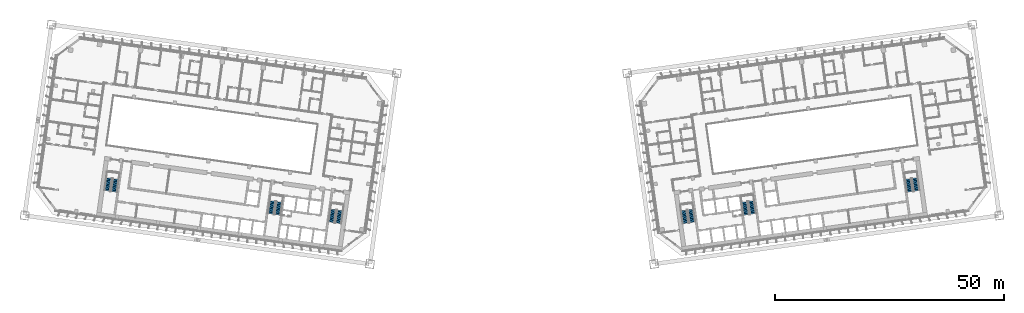
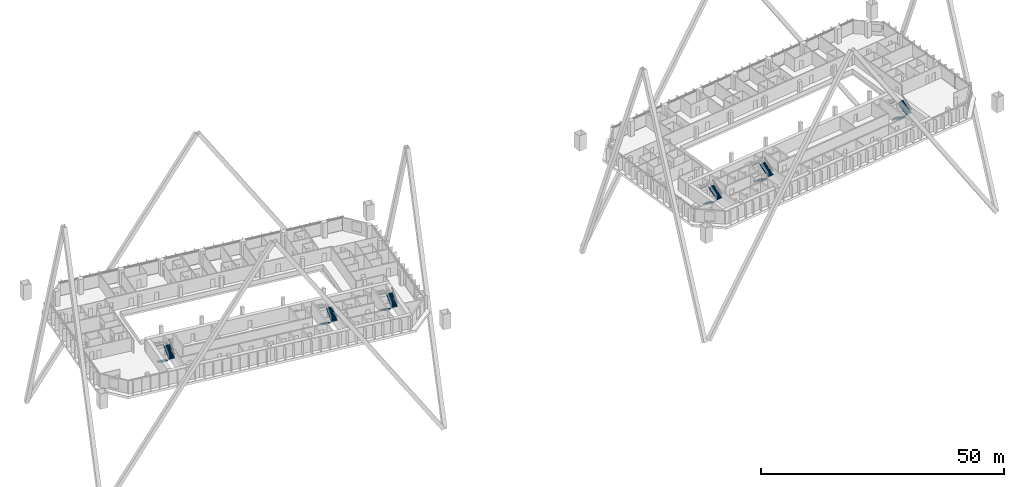
# One storey, part 47 of 49: 12 stair flights, 6 elements without a shape of their own.
"""IFC4 building model written with IfcOpenShell, lengths in metres."""

from ifc_helpers import new_model, si_unit, direction, frame, origin, place, context, subcontext, project, spatial, polyline, outline, extrude, material, type_object, element, aggregate, save


model = new_model("IFC4")

# Units and contexts
model_context = context("Model", 3, precision=1e-05, world=origin(), true_north=direction((0.0, 1.0)))
body_context = subcontext(model_context, "Body", "Model", "MODEL_VIEW")
ifc_project = project(units=[si_unit("LENGTHUNIT", "METRE"), si_unit("AREAUNIT", "SQUARE_METRE"), si_unit("VOLUMEUNIT", "CUBIC_METRE"), si_unit("PLANEANGLEUNIT", "RADIAN"), si_unit("MASSUNIT", "GRAM", prefix="KILO")], contexts=[model_context])

# Site, building, storey
site_placement = place(None, origin())
site = spatial("IfcSite", under=ifc_project, at=site_placement, CompositionType="ELEMENT")
building_placement = place(site_placement, origin())
building = spatial("IfcBuilding", under=site, at=building_placement, Name="Mirante Cascada Hotel Towers", CompositionType="ELEMENT")
storey_placement = place(building_placement, frame((0.0, 0.0, 66.1)))
storey = spatial("IfcBuildingStorey", under=building, at=storey_placement, Name="L13", CompositionType="ELEMENT", Elevation=66.1)

# Stair, stair flights
ifc_material_1 = material(Name="Concrete C35/45", Category="concrete")
stair_type = type_object("IfcStairType", Name="Exit stair half-turn 1350 concrete C35/45", PredefinedType="HALF_TURN_STAIR", material=ifc_material_1)
stair_1_placement = place(storey_placement, origin())
stair_1 = element("IfcStair", 1, at=stair_1_placement, inside=storey, type_object=stair_type, Name="L13 Exit stair A", PredefinedType="HALF_TURN_STAIR")
ifc_material_2 = material(Name="Concrete C35/45", Category="concrete")
stair_flight_type = type_object("IfcStairFlightType", Name="Exit stair flight 1350 concrete C35/45", PredefinedType="STRAIGHT", material=ifc_material_2)
stair_flight_1_placement = place(storey_placement, frame((-38.9417, -11.195, 0.0), z_axis=(0.0, 0.0, 1.0), x_axis=(-0.1391731, -0.9902681, 0.0)))
stair_flight_1 = element("IfcStairFlight", 2, at=stair_flight_1_placement, type_object=stair_flight_type, Name="ST1-A flight 1", NumberOfRisers=11, NumberOfTreads=10, PredefinedType="STRAIGHT", RiserHeight=0.172727273, TreadLength=0.28, context=body_context, shape_type="SweptSolid", body=[
    extrude(outline(polyline([(0.0, 0.0), (0.0, 0.1727), (0.28, 0.1727), (0.28, 0.3455), (0.56, 0.3455), (0.56, 0.5182), (0.84, 0.5182), (0.84, 0.6909), (1.12, 0.6909), (1.12, 0.8636), (1.4, 0.8636), (1.4, 1.0364), (1.68, 1.0364), (1.68, 1.2091), (1.96, 1.2091), (1.96, 1.3818), (2.24, 1.3818), (2.24, 1.5545), (2.52, 1.5545), (2.52, 1.7273), (2.8, 1.7273), (2.8, 1.9), (2.8, 1.551), (0.2857, 0.0), (0.0, 0.0)])), frame((0.0, 0.675, 0.0), z_axis=(0.0, -1.0, 0.0), x_axis=(1.0, 0.0, 0.0)), (0.0, 0.0, 1.0), 1.35),
])
stair_flight_2_placement = place(storey_placement, frame((-37.846, -14.1765, 1.9), z_axis=(0.0, 0.0, 1.0), x_axis=(0.1391731, 0.9902681, 0.0)))
stair_flight_2 = element("IfcStairFlight", 3, at=stair_flight_2_placement, type_object=stair_flight_type, Name="ST1-A flight 2", NumberOfRisers=11, NumberOfTreads=10, PredefinedType="STRAIGHT", RiserHeight=0.172727273, TreadLength=0.28, context=body_context, shape_type="SweptSolid", body=[
    extrude(outline(polyline([(0.0, 0.0), (0.0, 0.1727), (0.28, 0.1727), (0.28, 0.3455), (0.56, 0.3455), (0.56, 0.5182), (0.84, 0.5182), (0.84, 0.6909), (1.12, 0.6909), (1.12, 0.8636), (1.4, 0.8636), (1.4, 1.0364), (1.68, 1.0364), (1.68, 1.2091), (1.96, 1.2091), (1.96, 1.3818), (2.24, 1.3818), (2.24, 1.5545), (2.52, 1.5545), (2.52, 1.7273), (2.8, 1.7273), (2.8, 1.9), (2.8, 1.551), (0.2857, 0.0), (0.0, 0.0)])), frame((0.0, 0.675, 0.0), z_axis=(0.0, -1.0, 0.0), x_axis=(1.0, 0.0, 0.0)), (0.0, 0.0, 1.0), 1.35),
])
aggregate(stair_1, [stair_flight_1, stair_flight_2])

stair_2_placement = place(storey_placement, origin())
stair_2 = element("IfcStair", 4, at=stair_2_placement, inside=storey, type_object=stair_type, Name="L13 Exit stair B", PredefinedType="HALF_TURN_STAIR")
stair_flight_3_placement = place(storey_placement, frame((-52.1618, -9.3371, 0.0), z_axis=(0.0, 0.0, 1.0), x_axis=(-0.1391731, -0.9902681, 0.0)))
stair_flight_3 = element("IfcStairFlight", 5, at=stair_flight_3_placement, type_object=stair_flight_type, Name="ST1-B flight 1", NumberOfRisers=11, NumberOfTreads=10, PredefinedType="STRAIGHT", RiserHeight=0.172727273, TreadLength=0.28, context=body_context, shape_type="SweptSolid", body=[
    extrude(outline(polyline([(0.0, 0.0), (0.0, 0.1727), (0.28, 0.1727), (0.28, 0.3455), (0.56, 0.3455), (0.56, 0.5182), (0.84, 0.5182), (0.84, 0.6909), (1.12, 0.6909), (1.12, 0.8636), (1.4, 0.8636), (1.4, 1.0364), (1.68, 1.0364), (1.68, 1.2091), (1.96, 1.2091), (1.96, 1.3818), (2.24, 1.3818), (2.24, 1.5545), (2.52, 1.5545), (2.52, 1.7273), (2.8, 1.7273), (2.8, 1.9), (2.8, 1.551), (0.2857, 0.0), (0.0, 0.0)])), frame((0.0, 0.675, 0.0), z_axis=(0.0, -1.0, 0.0), x_axis=(1.0, 0.0, 0.0)), (0.0, 0.0, 1.0), 1.35),
])
stair_flight_4_placement = place(storey_placement, frame((-51.0661, -12.3186, 1.9), z_axis=(0.0, 0.0, 1.0), x_axis=(0.1391731, 0.9902681, 0.0)))
stair_flight_4 = element("IfcStairFlight", 6, at=stair_flight_4_placement, type_object=stair_flight_type, Name="ST1-B flight 2", NumberOfRisers=11, NumberOfTreads=10, PredefinedType="STRAIGHT", RiserHeight=0.172727273, TreadLength=0.28, context=body_context, shape_type="SweptSolid", body=[
    extrude(outline(polyline([(0.0, 0.0), (0.0, 0.1727), (0.28, 0.1727), (0.28, 0.3455), (0.56, 0.3455), (0.56, 0.5182), (0.84, 0.5182), (0.84, 0.6909), (1.12, 0.6909), (1.12, 0.8636), (1.4, 0.8636), (1.4, 1.0364), (1.68, 1.0364), (1.68, 1.2091), (1.96, 1.2091), (1.96, 1.3818), (2.24, 1.3818), (2.24, 1.5545), (2.52, 1.5545), (2.52, 1.7273), (2.8, 1.7273), (2.8, 1.9), (2.8, 1.551), (0.2857, 0.0), (0.0, 0.0)])), frame((0.0, 0.675, 0.0), z_axis=(0.0, -1.0, 0.0), x_axis=(1.0, 0.0, 0.0)), (0.0, 0.0, 1.0), 1.35),
])
aggregate(stair_2, [stair_flight_3, stair_flight_4])

stair_3_placement = place(storey_placement, origin())
stair_3 = element("IfcStair", 7, at=stair_3_placement, inside=storey, type_object=stair_type, Name="L13 Exit stair C", PredefinedType="HALF_TURN_STAIR")
stair_flight_5_placement = place(storey_placement, frame((-87.8115, -4.3268, 0.0), z_axis=(0.0, 0.0, 1.0), x_axis=(-0.1391731, -0.9902681, 0.0)))
stair_flight_5 = element("IfcStairFlight", 8, at=stair_flight_5_placement, type_object=stair_flight_type, Name="ST1-C flight 1", NumberOfRisers=11, NumberOfTreads=10, PredefinedType="STRAIGHT", RiserHeight=0.172727273, TreadLength=0.28, context=body_context, shape_type="SweptSolid", body=[
    extrude(outline(polyline([(0.0, 0.0), (0.0, 0.1727), (0.28, 0.1727), (0.28, 0.3455), (0.56, 0.3455), (0.56, 0.5182), (0.84, 0.5182), (0.84, 0.6909), (1.12, 0.6909), (1.12, 0.8636), (1.4, 0.8636), (1.4, 1.0364), (1.68, 1.0364), (1.68, 1.2091), (1.96, 1.2091), (1.96, 1.3818), (2.24, 1.3818), (2.24, 1.5545), (2.52, 1.5545), (2.52, 1.7273), (2.8, 1.7273), (2.8, 1.9), (2.8, 1.551), (0.2857, 0.0), (0.0, 0.0)])), frame((0.0, 0.675, 0.0), z_axis=(0.0, -1.0, 0.0), x_axis=(1.0, 0.0, 0.0)), (0.0, 0.0, 1.0), 1.35),
])
stair_flight_6_placement = place(storey_placement, frame((-86.7157, -7.3084, 1.9), z_axis=(0.0, 0.0, 1.0), x_axis=(0.1391731, 0.9902681, 0.0)))
stair_flight_6 = element("IfcStairFlight", 9, at=stair_flight_6_placement, type_object=stair_flight_type, Name="ST1-C flight 2", NumberOfRisers=11, NumberOfTreads=10, PredefinedType="STRAIGHT", RiserHeight=0.172727273, TreadLength=0.28, context=body_context, shape_type="SweptSolid", body=[
    extrude(outline(polyline([(0.0, 0.0), (0.0, 0.1727), (0.28, 0.1727), (0.28, 0.3455), (0.56, 0.3455), (0.56, 0.5182), (0.84, 0.5182), (0.84, 0.6909), (1.12, 0.6909), (1.12, 0.8636), (1.4, 0.8636), (1.4, 1.0364), (1.68, 1.0364), (1.68, 1.2091), (1.96, 1.2091), (1.96, 1.3818), (2.24, 1.3818), (2.24, 1.5545), (2.52, 1.5545), (2.52, 1.7273), (2.8, 1.7273), (2.8, 1.9), (2.8, 1.551), (0.2857, 0.0), (0.0, 0.0)])), frame((0.0, 0.675, 0.0), z_axis=(0.0, -1.0, 0.0), x_axis=(1.0, 0.0, 0.0)), (0.0, 0.0, 1.0), 1.35),
])
aggregate(stair_3, [stair_flight_5, stair_flight_6])

stair_4_placement = place(storey_placement, origin())
stair_4 = element("IfcStair", 10, at=stair_4_placement, inside=storey, type_object=stair_type, Name="L13 Exit stair A", PredefinedType="HALF_TURN_STAIR")
stair_flight_7_placement = place(storey_placement, frame((37.4563, -11.4038, 0.0), z_axis=(0.0, 0.0, 1.0), x_axis=(0.1391731, -0.9902681, 0.0)))
stair_flight_7 = element("IfcStairFlight", 11, at=stair_flight_7_placement, type_object=stair_flight_type, Name="ST2-A flight 1", NumberOfRisers=11, NumberOfTreads=10, PredefinedType="STRAIGHT", RiserHeight=0.172727273, TreadLength=0.28, context=body_context, shape_type="SweptSolid", body=[
    extrude(outline(polyline([(0.0, 0.0), (0.0, 0.1727), (0.28, 0.1727), (0.28, 0.3455), (0.56, 0.3455), (0.56, 0.5182), (0.84, 0.5182), (0.84, 0.6909), (1.12, 0.6909), (1.12, 0.8636), (1.4, 0.8636), (1.4, 1.0364), (1.68, 1.0364), (1.68, 1.2091), (1.96, 1.2091), (1.96, 1.3818), (2.24, 1.3818), (2.24, 1.5545), (2.52, 1.5545), (2.52, 1.7273), (2.8, 1.7273), (2.8, 1.9), (2.8, 1.551), (0.2857, 0.0), (0.0, 0.0)])), frame((0.0, 0.675, 0.0), z_axis=(0.0, -1.0, 0.0), x_axis=(1.0, 0.0, 0.0)), (0.0, 0.0, 1.0), 1.35),
])
stair_flight_8_placement = place(storey_placement, frame((39.3314, -13.9678, 1.9), z_axis=(0.0, 0.0, 1.0), x_axis=(-0.1391731, 0.9902681, 0.0)))
stair_flight_8 = element("IfcStairFlight", 12, at=stair_flight_8_placement, type_object=stair_flight_type, Name="ST2-A flight 2", NumberOfRisers=11, NumberOfTreads=10, PredefinedType="STRAIGHT", RiserHeight=0.172727273, TreadLength=0.28, context=body_context, shape_type="SweptSolid", body=[
    extrude(outline(polyline([(0.0, 0.0), (0.0, 0.1727), (0.28, 0.1727), (0.28, 0.3455), (0.56, 0.3455), (0.56, 0.5182), (0.84, 0.5182), (0.84, 0.6909), (1.12, 0.6909), (1.12, 0.8636), (1.4, 0.8636), (1.4, 1.0364), (1.68, 1.0364), (1.68, 1.2091), (1.96, 1.2091), (1.96, 1.3818), (2.24, 1.3818), (2.24, 1.5545), (2.52, 1.5545), (2.52, 1.7273), (2.8, 1.7273), (2.8, 1.9), (2.8, 1.551), (0.2857, 0.0), (0.0, 0.0)])), frame((0.0, 0.675, 0.0), z_axis=(0.0, -1.0, 0.0), x_axis=(1.0, 0.0, 0.0)), (0.0, 0.0, 1.0), 1.35),
])
aggregate(stair_4, [stair_flight_7, stair_flight_8])

stair_5_placement = place(storey_placement, origin())
stair_5 = element("IfcStair", 13, at=stair_5_placement, inside=storey, type_object=stair_type, Name="L13 Exit stair B", PredefinedType="HALF_TURN_STAIR")
stair_flight_9_placement = place(storey_placement, frame((50.6764, -9.5458, 0.0), z_axis=(0.0, 0.0, 1.0), x_axis=(0.1391731, -0.9902681, 0.0)))
stair_flight_9 = element("IfcStairFlight", 14, at=stair_flight_9_placement, type_object=stair_flight_type, Name="ST2-B flight 1", NumberOfRisers=11, NumberOfTreads=10, PredefinedType="STRAIGHT", RiserHeight=0.172727273, TreadLength=0.28, context=body_context, shape_type="SweptSolid", body=[
    extrude(outline(polyline([(0.0, 0.0), (0.0, 0.1727), (0.28, 0.1727), (0.28, 0.3455), (0.56, 0.3455), (0.56, 0.5182), (0.84, 0.5182), (0.84, 0.6909), (1.12, 0.6909), (1.12, 0.8636), (1.4, 0.8636), (1.4, 1.0364), (1.68, 1.0364), (1.68, 1.2091), (1.96, 1.2091), (1.96, 1.3818), (2.24, 1.3818), (2.24, 1.5545), (2.52, 1.5545), (2.52, 1.7273), (2.8, 1.7273), (2.8, 1.9), (2.8, 1.551), (0.2857, 0.0), (0.0, 0.0)])), frame((0.0, 0.675, 0.0), z_axis=(0.0, -1.0, 0.0), x_axis=(1.0, 0.0, 0.0)), (0.0, 0.0, 1.0), 1.35),
])
stair_flight_10_placement = place(storey_placement, frame((52.5515, -12.1098, 1.9), z_axis=(0.0, 0.0, 1.0), x_axis=(-0.1391731, 0.9902681, 0.0)))
stair_flight_10 = element("IfcStairFlight", 15, at=stair_flight_10_placement, type_object=stair_flight_type, Name="ST2-B flight 2", NumberOfRisers=11, NumberOfTreads=10, PredefinedType="STRAIGHT", RiserHeight=0.172727273, TreadLength=0.28, context=body_context, shape_type="SweptSolid", body=[
    extrude(outline(polyline([(0.0, 0.0), (0.0, 0.1727), (0.28, 0.1727), (0.28, 0.3455), (0.56, 0.3455), (0.56, 0.5182), (0.84, 0.5182), (0.84, 0.6909), (1.12, 0.6909), (1.12, 0.8636), (1.4, 0.8636), (1.4, 1.0364), (1.68, 1.0364), (1.68, 1.2091), (1.96, 1.2091), (1.96, 1.3818), (2.24, 1.3818), (2.24, 1.5545), (2.52, 1.5545), (2.52, 1.7273), (2.8, 1.7273), (2.8, 1.9), (2.8, 1.551), (0.2857, 0.0), (0.0, 0.0)])), frame((0.0, 0.675, 0.0), z_axis=(0.0, -1.0, 0.0), x_axis=(1.0, 0.0, 0.0)), (0.0, 0.0, 1.0), 1.35),
])
aggregate(stair_5, [stair_flight_9, stair_flight_10])

stair_6_placement = place(storey_placement, origin())
stair_6 = element("IfcStair", 16, at=stair_6_placement, inside=storey, type_object=stair_type, Name="L13 Exit stair C", PredefinedType="HALF_TURN_STAIR")
stair_flight_11_placement = place(storey_placement, frame((86.326, -4.5356, 0.0), z_axis=(0.0, 0.0, 1.0), x_axis=(0.1391731, -0.9902681, 0.0)))
stair_flight_11 = element("IfcStairFlight", 17, at=stair_flight_11_placement, type_object=stair_flight_type, Name="ST2-C flight 1", NumberOfRisers=11, NumberOfTreads=10, PredefinedType="STRAIGHT", RiserHeight=0.172727273, TreadLength=0.28, context=body_context, shape_type="SweptSolid", body=[
    extrude(outline(polyline([(0.0, 0.0), (0.0, 0.1727), (0.28, 0.1727), (0.28, 0.3455), (0.56, 0.3455), (0.56, 0.5182), (0.84, 0.5182), (0.84, 0.6909), (1.12, 0.6909), (1.12, 0.8636), (1.4, 0.8636), (1.4, 1.0364), (1.68, 1.0364), (1.68, 1.2091), (1.96, 1.2091), (1.96, 1.3818), (2.24, 1.3818), (2.24, 1.5545), (2.52, 1.5545), (2.52, 1.7273), (2.8, 1.7273), (2.8, 1.9), (2.8, 1.551), (0.2857, 0.0), (0.0, 0.0)])), frame((0.0, 0.675, 0.0), z_axis=(0.0, -1.0, 0.0), x_axis=(1.0, 0.0, 0.0)), (0.0, 0.0, 1.0), 1.35),
])
stair_flight_12_placement = place(storey_placement, frame((88.2011, -7.0996, 1.9), z_axis=(0.0, 0.0, 1.0), x_axis=(-0.1391731, 0.9902681, 0.0)))
stair_flight_12 = element("IfcStairFlight", 18, at=stair_flight_12_placement, type_object=stair_flight_type, Name="ST2-C flight 2", NumberOfRisers=11, NumberOfTreads=10, PredefinedType="STRAIGHT", RiserHeight=0.172727273, TreadLength=0.28, context=body_context, shape_type="SweptSolid", body=[
    extrude(outline(polyline([(0.0, 0.0), (0.0, 0.1727), (0.28, 0.1727), (0.28, 0.3455), (0.56, 0.3455), (0.56, 0.5182), (0.84, 0.5182), (0.84, 0.6909), (1.12, 0.6909), (1.12, 0.8636), (1.4, 0.8636), (1.4, 1.0364), (1.68, 1.0364), (1.68, 1.2091), (1.96, 1.2091), (1.96, 1.3818), (2.24, 1.3818), (2.24, 1.5545), (2.52, 1.5545), (2.52, 1.7273), (2.8, 1.7273), (2.8, 1.9), (2.8, 1.551), (0.2857, 0.0), (0.0, 0.0)])), frame((0.0, 0.675, 0.0), z_axis=(0.0, -1.0, 0.0), x_axis=(1.0, 0.0, 0.0)), (0.0, 0.0, 1.0), 1.35),
])
aggregate(stair_6, [stair_flight_11, stair_flight_12])

save(model, "model.ifc")
